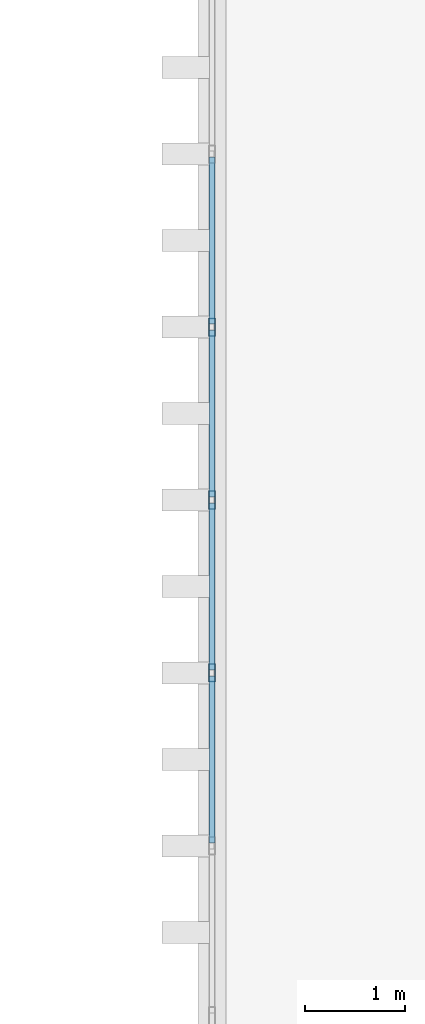
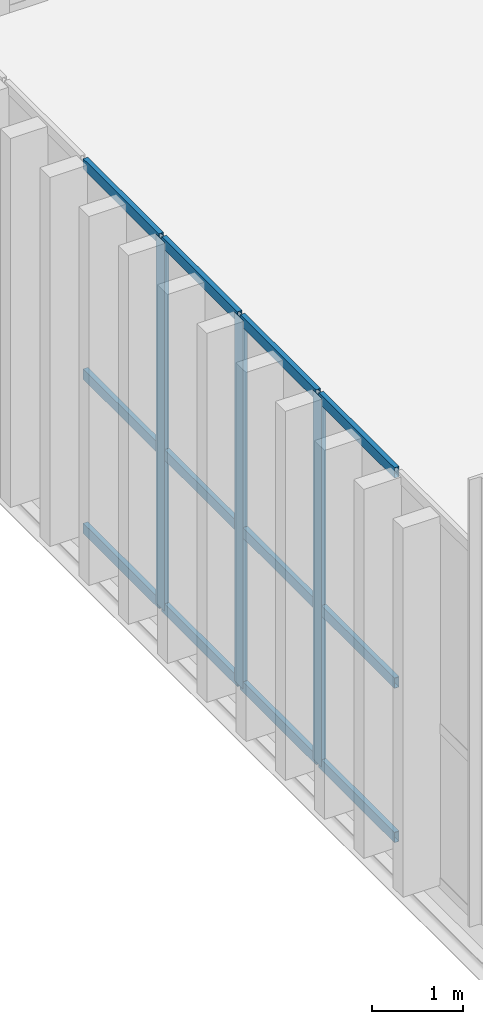
# One storey, part 123 of 211: 15 members, 1 element without a shape of its own.
"""IFC4 building model written with IfcOpenShell, lengths in metres."""

from ifc_helpers import new_model, si_unit, direction, frame, origin, origin_2d, place, context, subcontext, project, spatial, hollow_rectangle, extrude, material, layer, layer_set, material_profile, profile_set, type_object, element, aggregate, save


model = new_model("IFC4")

# Units and contexts
model_context = context("Model", 3, precision=1e-05, world=origin(), true_north=direction((0.0, 1.0)))
body_context = subcontext(model_context, "Body", "Model", "MODEL_VIEW")
ifc_project = project(units=[si_unit("LENGTHUNIT", "METRE"), si_unit("AREAUNIT", "SQUARE_METRE"), si_unit("VOLUMEUNIT", "CUBIC_METRE"), si_unit("PLANEANGLEUNIT", "RADIAN"), si_unit("MASSUNIT", "GRAM", prefix="KILO")], contexts=[model_context])

# Site, building, storey
site_placement = place(None, origin())
site = spatial("IfcSite", under=ifc_project, at=site_placement, CompositionType="ELEMENT")
building_placement = place(site_placement, origin())
building = spatial("IfcBuilding", under=site, at=building_placement, Name="Barlavento Convention Centre", CompositionType="ELEMENT")
storey_placement = place(building_placement, frame((0.0, 0.0, 6.0)))
storey = spatial("IfcBuildingStorey", under=building, at=storey_placement, Name="L01", CompositionType="ELEMENT", Elevation=6.0)

# Curtain wall, members
ifc_material_1 = material(Name="Powder-coated aluminium and Low-E glass", Category="aluminium")
ifc_layer = layer(ifc_material_1, 0.179931640625)
ifc_layer_set = layer_set([ifc_layer], Name="ARC-CW-EXH-L01")
curtain_wall_type = type_object("IfcCurtainWallType", Name="ARC-CW-EXH-L01", PredefinedType="NOTDEFINED", material=ifc_layer_set)
curtain_wall_placement = place(storey_placement, origin())
curtain_wall = element("IfcCurtainWall", 1, at=curtain_wall_placement, inside=storey, type_object=curtain_wall_type, Name="L01 unitised curtain wall CW04", PredefinedType="NOTDEFINED")
ifc_material_2 = material(Name="Powder-coated aluminium", Category="aluminium")
ifc_material_profile_1 = material_profile(ifc_material_2, hollow_rectangle(XDim=0.06005859375, YDim=0.179931640625, WallThickness=0.0048828125, at=origin_2d()), Name="AL-MULL 60x180x5")
ifc_profile_set_1 = profile_set([ifc_material_profile_1], Name="Powder-coated aluminium")
member_type_1 = type_object("IfcMemberType", Name="ARC-CWM-60X180", PredefinedType="MULLION", material=ifc_profile_set_1)
member_1_placement = place(storey_placement, frame((180.0, 120.830078125, 0.0), z_axis=(0.0, 0.0, 1.0), x_axis=(-1.0, 0.0, 0.0)))
member_1 = element("IfcMember", 2, at=member_1_placement, type_object=member_type_1, Name="CW04 mullion 3", PredefinedType="MULLION", context=body_context, shape_type="SweptSolid", body=[
    extrude(hollow_rectangle(XDim=0.06005859375, YDim=0.179931640625, WallThickness=0.0048828125, at=origin_2d()), origin(), (0.0, 0.0, 1.0), 4.949951171875),
])
member_2_placement = place(storey_placement, frame((180.0, 122.554931640625, 0.0), z_axis=(0.0, 0.0, 1.0), x_axis=(-1.0, 0.0, 0.0)))
member_2 = element("IfcMember", 3, at=member_2_placement, type_object=member_type_1, Name="CW04 mullion 4", PredefinedType="MULLION", context=body_context, shape_type="SweptSolid", body=[
    extrude(hollow_rectangle(XDim=0.06005859375, YDim=0.179931640625, WallThickness=0.0048828125, at=origin_2d()), origin(), (0.0, 0.0, 1.0), 4.949951171875),
])
member_3_placement = place(storey_placement, frame((180.0, 124.280029296875, 0.0), z_axis=(0.0, 0.0, 1.0), x_axis=(-1.0, 0.0, 0.0)))
member_3 = element("IfcMember", 4, at=member_3_placement, type_object=member_type_1, Name="CW04 mullion 5", PredefinedType="MULLION", context=body_context, shape_type="SweptSolid", body=[
    extrude(hollow_rectangle(XDim=0.06005859375, YDim=0.179931640625, WallThickness=0.0048828125, at=origin_2d()), origin(), (0.0, 0.0, 1.0), 4.949951171875),
])
ifc_material_profile_2 = material_profile(ifc_material_2, hollow_rectangle(XDim=0.06005859375, YDim=0.139892578125, WallThickness=0.00390625, at=origin_2d()), Name="AL-TRAN 60x140x4")
ifc_profile_set_2 = profile_set([ifc_material_profile_2], Name="Powder-coated aluminium")
member_type_2 = type_object("IfcMemberType", Name="ARC-CWT-60X140", PredefinedType="USERDEFINED", material=ifc_profile_set_2)
member_4_placement = place(storey_placement, frame((180.0, 119.135009765625, 0.030029296875), z_axis=(0.0, 1.0, 0.0), x_axis=(-1.0, 0.0, 0.0)))
member_4 = element("IfcMember", 5, at=member_4_placement, type_object=member_type_2, Name="CW04 transom 2.1", ObjectType="TRANSOM", PredefinedType="USERDEFINED", context=body_context, shape_type="SweptSolid", body=[
    extrude(hollow_rectangle(XDim=0.06005859375, YDim=0.139892578125, WallThickness=0.00390625, at=origin_2d()), origin(), (0.0, 0.0, 1.0), 1.6650390625),
])
member_5_placement = place(storey_placement, frame((180.0, 119.135009765625, 2.10009765625), z_axis=(0.0, 1.0, 0.0), x_axis=(-1.0, 0.0, 0.0)))
member_5 = element("IfcMember", 6, at=member_5_placement, type_object=member_type_2, Name="CW04 transom 2.2", ObjectType="TRANSOM", PredefinedType="USERDEFINED", context=body_context, shape_type="SweptSolid", body=[
    extrude(hollow_rectangle(XDim=0.06005859375, YDim=0.139892578125, WallThickness=0.00390625, at=origin_2d()), origin(), (0.0, 0.0, 1.0), 1.6650390625),
])
member_6_placement = place(storey_placement, frame((180.0, 119.135009765625, 4.919921875), z_axis=(0.0, 1.0, 0.0), x_axis=(-1.0, 0.0, 0.0)))
member_6 = element("IfcMember", 7, at=member_6_placement, type_object=member_type_2, Name="CW04 transom 2.3", ObjectType="TRANSOM", PredefinedType="USERDEFINED", context=body_context, shape_type="SweptSolid", body=[
    extrude(hollow_rectangle(XDim=0.06005859375, YDim=0.139892578125, WallThickness=0.00390625, at=origin_2d()), origin(), (0.0, 0.0, 1.0), 1.6650390625),
])
member_7_placement = place(storey_placement, frame((180.0, 120.860107421875, 0.030029296875), z_axis=(0.0, 1.0, 0.0), x_axis=(-1.0, 0.0, 0.0)))
member_7 = element("IfcMember", 8, at=member_7_placement, type_object=member_type_2, Name="CW04 transom 3.1", ObjectType="TRANSOM", PredefinedType="USERDEFINED", context=body_context, shape_type="SweptSolid", body=[
    extrude(hollow_rectangle(XDim=0.06005859375, YDim=0.139892578125, WallThickness=0.00390625, at=origin_2d()), origin(), (0.0, 0.0, 1.0), 1.664794921875),
])
member_8_placement = place(storey_placement, frame((180.0, 120.860107421875, 2.10009765625), z_axis=(0.0, 1.0, 0.0), x_axis=(-1.0, 0.0, 0.0)))
member_8 = element("IfcMember", 9, at=member_8_placement, type_object=member_type_2, Name="CW04 transom 3.2", ObjectType="TRANSOM", PredefinedType="USERDEFINED", context=body_context, shape_type="SweptSolid", body=[
    extrude(hollow_rectangle(XDim=0.06005859375, YDim=0.139892578125, WallThickness=0.00390625, at=origin_2d()), origin(), (0.0, 0.0, 1.0), 1.664794921875),
])
member_9_placement = place(storey_placement, frame((180.0, 120.860107421875, 4.919921875), z_axis=(0.0, 1.0, 0.0), x_axis=(-1.0, 0.0, 0.0)))
member_9 = element("IfcMember", 10, at=member_9_placement, type_object=member_type_2, Name="CW04 transom 3.3", ObjectType="TRANSOM", PredefinedType="USERDEFINED", context=body_context, shape_type="SweptSolid", body=[
    extrude(hollow_rectangle(XDim=0.06005859375, YDim=0.139892578125, WallThickness=0.00390625, at=origin_2d()), origin(), (0.0, 0.0, 1.0), 1.664794921875),
])
member_10_placement = place(storey_placement, frame((180.0, 122.5849609375, 0.030029296875), z_axis=(0.0, 1.0, 0.0), x_axis=(-1.0, 0.0, 0.0)))
member_10 = element("IfcMember", 11, at=member_10_placement, type_object=member_type_2, Name="CW04 transom 4.1", ObjectType="TRANSOM", PredefinedType="USERDEFINED", context=body_context, shape_type="SweptSolid", body=[
    extrude(hollow_rectangle(XDim=0.06005859375, YDim=0.139892578125, WallThickness=0.00390625, at=origin_2d()), origin(), (0.0, 0.0, 1.0), 1.6650390625),
])
member_11_placement = place(storey_placement, frame((180.0, 122.5849609375, 2.10009765625), z_axis=(0.0, 1.0, 0.0), x_axis=(-1.0, 0.0, 0.0)))
member_11 = element("IfcMember", 12, at=member_11_placement, type_object=member_type_2, Name="CW04 transom 4.2", ObjectType="TRANSOM", PredefinedType="USERDEFINED", context=body_context, shape_type="SweptSolid", body=[
    extrude(hollow_rectangle(XDim=0.06005859375, YDim=0.139892578125, WallThickness=0.00390625, at=origin_2d()), origin(), (0.0, 0.0, 1.0), 1.6650390625),
])
member_12_placement = place(storey_placement, frame((180.0, 122.5849609375, 4.919921875), z_axis=(0.0, 1.0, 0.0), x_axis=(-1.0, 0.0, 0.0)))
member_12 = element("IfcMember", 13, at=member_12_placement, type_object=member_type_2, Name="CW04 transom 4.3", ObjectType="TRANSOM", PredefinedType="USERDEFINED", context=body_context, shape_type="SweptSolid", body=[
    extrude(hollow_rectangle(XDim=0.06005859375, YDim=0.139892578125, WallThickness=0.00390625, at=origin_2d()), origin(), (0.0, 0.0, 1.0), 1.6650390625),
])
member_13_placement = place(storey_placement, frame((180.0, 124.31005859375, 0.030029296875), z_axis=(0.0, 1.0, 0.0), x_axis=(-1.0, 0.0, 0.0)))
member_13 = element("IfcMember", 14, at=member_13_placement, type_object=member_type_2, Name="CW04 transom 5.1", ObjectType="TRANSOM", PredefinedType="USERDEFINED", context=body_context, shape_type="SweptSolid", body=[
    extrude(hollow_rectangle(XDim=0.06005859375, YDim=0.139892578125, WallThickness=0.00390625, at=origin_2d()), origin(), (0.0, 0.0, 1.0), 1.6650390625),
])
member_14_placement = place(storey_placement, frame((180.0, 124.31005859375, 2.10009765625), z_axis=(0.0, 1.0, 0.0), x_axis=(-1.0, 0.0, 0.0)))
member_14 = element("IfcMember", 15, at=member_14_placement, type_object=member_type_2, Name="CW04 transom 5.2", ObjectType="TRANSOM", PredefinedType="USERDEFINED", context=body_context, shape_type="SweptSolid", body=[
    extrude(hollow_rectangle(XDim=0.06005859375, YDim=0.139892578125, WallThickness=0.00390625, at=origin_2d()), origin(), (0.0, 0.0, 1.0), 1.6650390625),
])
member_15_placement = place(storey_placement, frame((180.0, 124.31005859375, 4.919921875), z_axis=(0.0, 1.0, 0.0), x_axis=(-1.0, 0.0, 0.0)))
member_15 = element("IfcMember", 16, at=member_15_placement, type_object=member_type_2, Name="CW04 transom 5.3", ObjectType="TRANSOM", PredefinedType="USERDEFINED", context=body_context, shape_type="SweptSolid", body=[
    extrude(hollow_rectangle(XDim=0.06005859375, YDim=0.139892578125, WallThickness=0.00390625, at=origin_2d()), origin(), (0.0, 0.0, 1.0), 1.6650390625),
])
aggregate(curtain_wall, [member_1, member_2, member_3, member_4, member_5, member_6, member_7, member_8, member_9, member_10, member_11, member_12, member_13, member_14, member_15])

save(model, "model.ifc")
